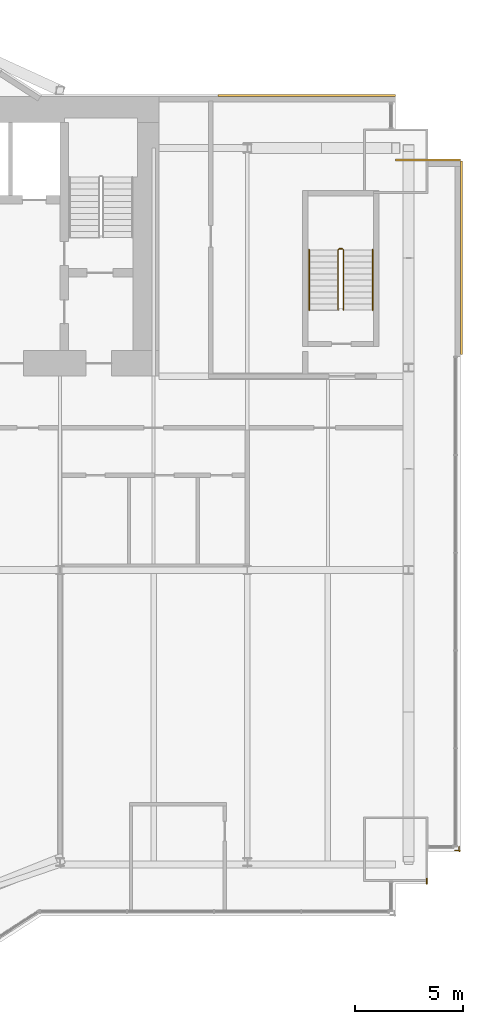
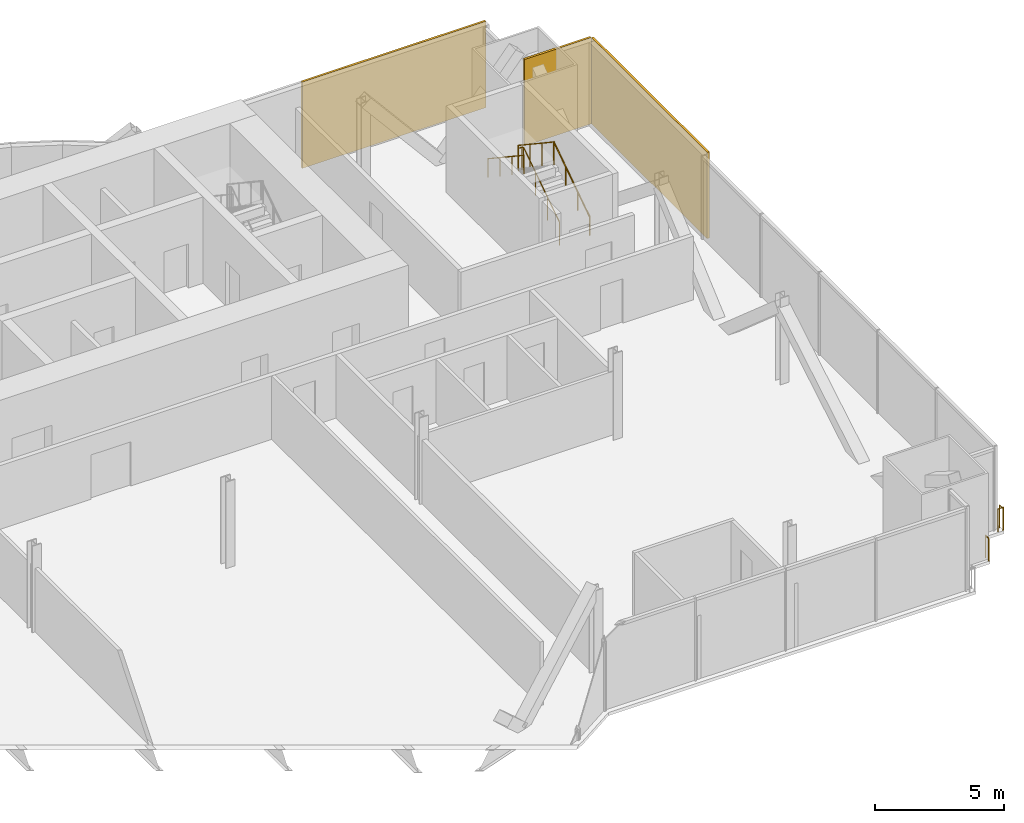
# One storey, part 21 of 21: 5 railings, 3 coverings.
"""IFC4 building model written with IfcOpenShell, lengths in metres."""

from ifc_helpers import new_model, si_unit, direction, frame, origin, origin_2d, place, context, subcontext, project, spatial, rectangle, circle, extrude, material, layer, layer_set, type_object, element, save


model = new_model("IFC4")

# Units and contexts
model_context = context("Model", 3, precision=1e-05, world=origin(), true_north=direction((0.0, 1.0)))
body_context = subcontext(model_context, "Body", "Model", "MODEL_VIEW")
ifc_project = project(units=[si_unit("LENGTHUNIT", "METRE"), si_unit("AREAUNIT", "SQUARE_METRE"), si_unit("VOLUMEUNIT", "CUBIC_METRE"), si_unit("PLANEANGLEUNIT", "RADIAN"), si_unit("MASSUNIT", "GRAM", prefix="KILO")], contexts=[model_context])

# Site, building, storey
site_placement = place(None, origin())
site = spatial("IfcSite", under=ifc_project, at=site_placement, CompositionType="ELEMENT")
building_placement = place(site_placement, origin())
building = spatial("IfcBuilding", under=site, at=building_placement, Name="Bicima Exchange Tower", CompositionType="ELEMENT")
storey_placement = place(building_placement, frame((0.0, 0.0, 106.300048828125)))
storey = spatial("IfcBuildingStorey", under=building, at=storey_placement, Name="L22", CompositionType="ELEMENT", Elevation=106.300048828125)

# Coverings
ifc_material_1 = material(Name="Bronze metal cladding")
ifc_layer_1 = layer(ifc_material_1, 0.004)
ifc_material_2 = material(Name="Ventilated cavity")
ifc_layer_2 = layer(ifc_material_2, 0.06)
ifc_material_3 = material(Name="Galvanised steel rail and mineral wool", Category="steel")
ifc_layer_3 = layer(ifc_material_3, 0.036)
ifc_layer_set = layer_set([ifc_layer_1, ifc_layer_2, ifc_layer_3], Name="Ventilated cavity")
covering_type = type_object("IfcCoveringType", Name="Bronze metal cladding panel 100", PredefinedType="CLADDING", material=ifc_layer_set)
covering_1_placement = place(storey_placement, frame((28.875, 0.050048828125, -0.150146484375), z_axis=(0.0, 0.0, 1.0), x_axis=(-1.0, 0.0, 0.0)))
element("IfcCovering", 1, at=covering_1_placement, inside=storey, type_object=covering_type, Name="Bronze cladding L22 1.1", PredefinedType="CLADDING", context=body_context, shape_type="SweptSolid", body=[
    extrude(rectangle(XDim=8.25, YDim=0.10009765625, at=origin_2d()), origin(), (0.0, 0.0, 1.0), 4.10009765625),
])
covering_2_placement = place(storey_placement, frame((36.050048828125, -7.5, -0.150146484375), z_axis=(0.0, 0.0, 1.0), x_axis=(0.0, 1.0, 0.0)))
element("IfcCovering", 2, at=covering_2_placement, inside=storey, type_object=covering_type, Name="Bronze cladding L22 50.1", PredefinedType="CLADDING", context=body_context, shape_type="SweptSolid", body=[
    extrude(rectangle(XDim=9.0, YDim=0.10009765625, at=origin_2d()), origin(), (0.0, 0.0, 1.0), 4.10009765625),
])
covering_3_placement = place(storey_placement, frame((34.5, -2.949951171875, -0.150146484375), z_axis=(0.0, 0.0, 1.0), x_axis=(-1.0, 0.0, 0.0)))
element("IfcCovering", 3, at=covering_3_placement, inside=storey, type_object=covering_type, Name="Bronze cladding L22 51.1", PredefinedType="CLADDING", context=body_context, shape_type="SweptSolid", body=[
    extrude(rectangle(XDim=3.0, YDim=0.10009765625, at=origin_2d()), origin(), (0.0, 0.0, 1.0), 4.10009765625),
])

# Railings
ifc_material_4 = material(Name="Stainless steel and bonded safety glass", Category="steel")
railing_type_1 = type_object("IfcRailingType", Name="Edge guard 1100", PredefinedType="GUARDRAIL", material=ifc_material_4)
railing_1_placement = place(storey_placement, frame((35.949951171875, -34.846923828125, 0.0)))
element("IfcRailing", 4, at=railing_1_placement, inside=storey, type_object=railing_type_1, Name="Edge guard L22 104", PredefinedType="GUARDRAIL", context=body_context, shape_type="SweptSolid", body=[
    extrude(circle(Radius=0.02392578125, at=origin_2d()), frame((0.0, 0.0, 1.076171875), z_axis=(0.0, -1.0, 0.0), x_axis=(1.0, 0.0, 0.0)), (0.0, 0.0, 1.0), 0.2490234375),
    extrude(circle(Radius=0.02392578125, at=origin_2d()), frame((0.0, -0.2490234375, 1.076171875), z_axis=(0.707106781187, 0.707106781187, 0.0), x_axis=(-0.707106781187, 0.707106781187, 0.0)), (0.0, 0.0, 1.0), 0.07080078125),
    extrude(circle(Radius=0.02392578125, at=origin_2d()), frame((0.050048828125, -0.198974609375, 1.076171875), z_axis=(-1.0, 0.0, 0.0), x_axis=(0.0, -1.0, 0.0)), (0.0, 0.0, 1.0), 0.25),
    extrude(circle(Radius=0.02099609375, at=origin_2d()), origin(), (0.0, 0.0, 1.0), 1.052001953125),
    extrude(circle(Radius=0.02099609375, at=origin_2d()), frame((0.0, -0.2490234375, 0.0)), (0.0, 0.0, 1.0), 1.052001953125),
    extrude(circle(Radius=0.02099609375, at=origin_2d()), frame((0.050048828125, -0.198974609375, 0.0)), (0.0, 0.0, 1.0), 1.052001953125),
    extrude(circle(Radius=0.02099609375, at=origin_2d()), frame((-0.199951171875, -0.198974609375, 0.0)), (0.0, 0.0, 1.0), 1.052001953125),
])
railing_2_placement = place(storey_placement, frame((34.449951171875, -36.345947265625, 0.0)))
element("IfcRailing", 5, at=railing_2_placement, inside=storey, type_object=railing_type_1, Name="Edge guard L22 105", PredefinedType="GUARDRAIL", context=body_context, shape_type="SweptSolid", body=[
    extrude(circle(Radius=0.02392578125, at=origin_2d()), frame((0.0, 0.0, 1.076171875), z_axis=(0.0, -1.0, 0.0), x_axis=(1.0, 0.0, 0.0)), (0.0, 0.0, 1.0), 0.25),
    extrude(circle(Radius=0.02099609375, at=origin_2d()), origin(), (0.0, 0.0, 1.0), 1.052001953125),
    extrude(circle(Radius=0.02099609375, at=origin_2d()), frame((0.0, -0.25, 0.0)), (0.0, 0.0, 1.0), 1.052001953125),
])
ifc_material_5 = material(Name="Stainless steel", Category="steel")
railing_type_2 = type_object("IfcRailingType", Name="Stair guard 1100", PredefinedType="GUARDRAIL", material=ifc_material_5)
railing_3_placement = place(storey_placement, frame((30.574951171875, -9.925048828125, 0.186279296875)))
element("IfcRailing", 6, at=railing_3_placement, inside=storey, type_object=railing_type_2, Name="L22 ST-EE stair guard 1", PredefinedType="GUARDRAIL", context=body_context, shape_type="SweptSolid", body=[
    extrude(circle(Radius=0.02392578125, at=origin_2d()), frame((0.0, 0.0, 1.076171875), z_axis=(0.0, 0.832452072856, 0.554097055034), x_axis=(-1.0, 0.0, 0.0)), (0.0, 0.0, 1.0), 3.363525390625),
    extrude(circle(Radius=0.02392578125, at=origin_2d()), frame((0.0, 2.800048828125, 2.93994140625), z_axis=(-0.707106781187, 0.707106781187, 0.0), x_axis=(-0.707106781187, -0.707106781187, 0.0)), (0.0, 0.0, 1.0), 0.07080078125),
    extrude(circle(Radius=0.02392578125, at=origin_2d()), frame((-0.050048828125, 2.85009765625, 2.93994140625), z_axis=(-1.0, 0.0, 0.0), x_axis=(0.0, -1.0, 0.0)), (0.0, 0.0, 1.0), 0.14990234375),
    extrude(circle(Radius=0.02392578125, at=origin_2d()), frame((-0.199951171875, 2.85009765625, 2.93994140625), z_axis=(-0.251157038772, -0.251157038772, 0.934794246747), x_axis=(0.707106781187, -0.707106781187, 0.0)), (0.0, 0.0, 1.0), 0.19921875),
    extrude(circle(Radius=0.02392578125, at=origin_2d()), frame((-0.25, 2.800048828125, 3.1259765625), z_axis=(0.0, -0.832485552168, 0.554046753832), x_axis=(1.0, 0.0, 0.0)), (0.0, 0.0, 1.0), 3.363525390625),
    extrude(circle(Radius=0.02099609375, at=origin_2d()), origin(), (0.0, 0.0, 1.0), 1.052001953125),
    extrude(circle(Radius=0.02099609375, at=origin_2d()), frame((0.0, 0.933349609375, 0.621337890625)), (0.0, 0.0, 1.0), 1.052001953125),
    extrude(circle(Radius=0.02099609375, at=origin_2d()), frame((0.0, 1.86669921875, 1.242431640625)), (0.0, 0.0, 1.0), 1.052001953125),
    extrude(circle(Radius=0.02099609375, at=origin_2d()), frame((0.0, 2.800048828125, 1.86376953125)), (0.0, 0.0, 1.0), 1.052001953125),
    extrude(circle(Radius=0.02099609375, at=origin_2d()), frame((-0.050048828125, 2.85009765625, 1.86376953125)), (0.0, 0.0, 1.0), 1.052001953125),
    extrude(circle(Radius=0.02099609375, at=origin_2d()), frame((-0.199951171875, 2.85009765625, 1.86376953125)), (0.0, 0.0, 1.0), 1.052001953125),
    extrude(circle(Radius=0.02099609375, at=origin_2d()), frame((-0.25, 2.800048828125, 2.050048828125)), (0.0, 0.0, 1.0), 1.052001953125),
    extrude(circle(Radius=0.02099609375, at=origin_2d()), frame((-0.25, 1.86669921875, 2.671142578125)), (0.0, 0.0, 1.0), 1.052001953125),
    extrude(circle(Radius=0.02099609375, at=origin_2d()), frame((-0.25, 0.933349609375, 3.29248046875)), (0.0, 0.0, 1.0), 1.052001953125),
    extrude(circle(Radius=0.02099609375, at=origin_2d()), frame((-0.25, 0.0, 3.91357421875)), (0.0, 0.0, 1.0), 1.052001953125),
])
railing_type_3 = type_object("IfcRailingType", Name="Stair handrail 900", PredefinedType="HANDRAIL", material=ifc_material_5)
railing_4_placement = place(storey_placement, frame((31.925048828125, -9.925048828125, 0.186279296875)))
element("IfcRailing", 7, at=railing_4_placement, inside=storey, type_object=railing_type_3, Name="L22 ST-EE stair handrail 1", PredefinedType="HANDRAIL", context=body_context, shape_type="SweptSolid", body=[
    extrude(circle(Radius=0.02392578125, at=origin_2d()), frame((0.0, 0.0, 0.8759765625), z_axis=(0.0, 0.832452072856, 0.554097055034), x_axis=(-1.0, 0.0, 0.0)), (0.0, 0.0, 1.0), 3.363525390625),
    extrude(circle(Radius=0.02099609375, at=origin_2d()), origin(), (0.0, 0.0, 1.0), 0.851806640625),
    extrude(circle(Radius=0.02099609375, at=origin_2d()), frame((0.0, 0.933349609375, 0.621337890625)), (0.0, 0.0, 1.0), 0.851806640625),
    extrude(circle(Radius=0.02099609375, at=origin_2d()), frame((0.0, 1.86669921875, 1.242431640625)), (0.0, 0.0, 1.0), 0.851806640625),
    extrude(circle(Radius=0.02099609375, at=origin_2d()), frame((0.0, 2.800048828125, 1.86376953125)), (0.0, 0.0, 1.0), 0.851806640625),
])
railing_5_placement = place(storey_placement, frame((28.97509765625, -7.125, 2.276611328125)))
element("IfcRailing", 8, at=railing_5_placement, inside=storey, type_object=railing_type_3, Name="L22 ST-EE stair handrail 2", PredefinedType="HANDRAIL", context=body_context, shape_type="SweptSolid", body=[
    extrude(circle(Radius=0.02392578125, at=origin_2d()), frame((0.0, 0.0, 0.8759765625), z_axis=(0.0, -0.832452072856, 0.554097055034), x_axis=(1.0, 0.0, 0.0)), (0.0, 0.0, 1.0), 3.363525390625),
    extrude(circle(Radius=0.02099609375, at=origin_2d()), origin(), (0.0, 0.0, 1.0), 0.851806640625),
    extrude(circle(Radius=0.02099609375, at=origin_2d()), frame((0.0, -0.933349609375, 0.621337890625)), (0.0, 0.0, 1.0), 0.851806640625),
    extrude(circle(Radius=0.02099609375, at=origin_2d()), frame((0.0, -1.86669921875, 1.242431640625)), (0.0, 0.0, 1.0), 0.851806640625),
    extrude(circle(Radius=0.02099609375, at=origin_2d()), frame((0.0, -2.800048828125, 1.86376953125)), (0.0, 0.0, 1.0), 0.851806640625),
])

save(model, "model.ifc")
